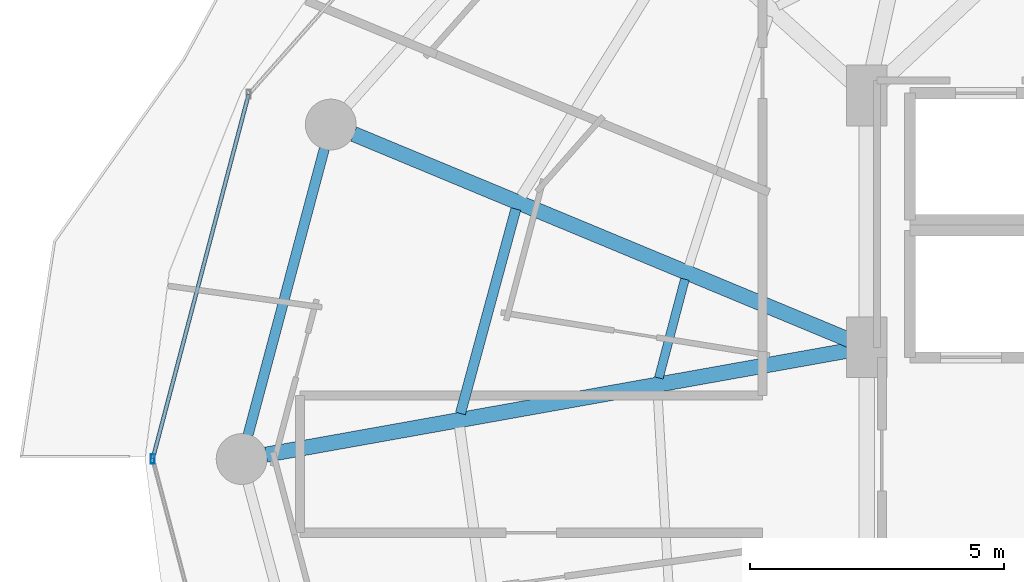
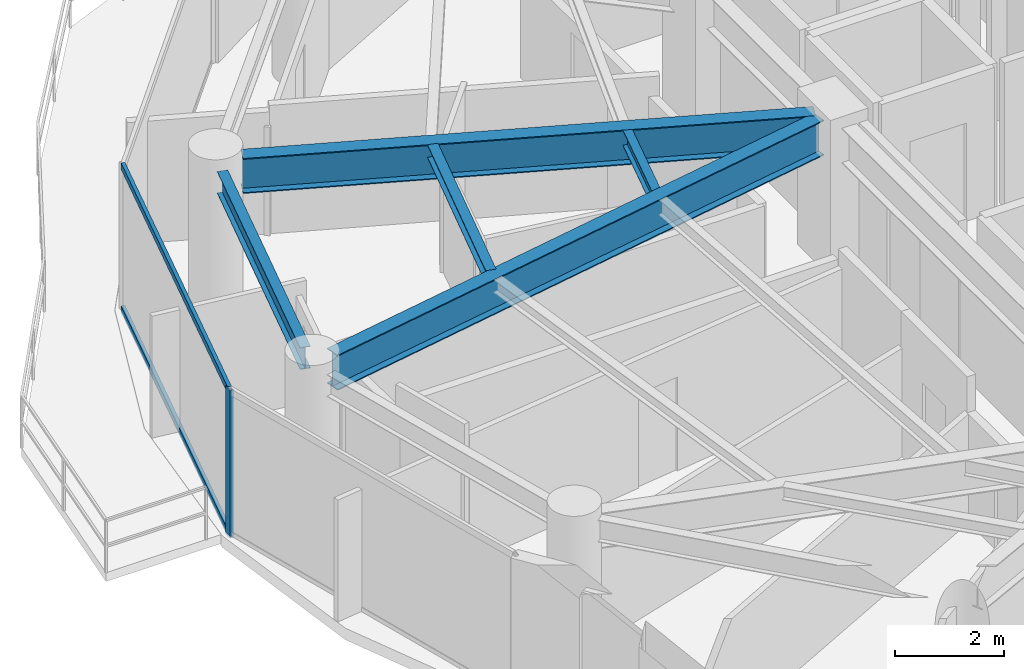
# One storey, part 8 of 29: 5 beams, 3 members, 1 element without a shape of its own.
"""IFC4 building model written with IfcOpenShell, lengths in metres."""

import ifcopenshell
import ifcopenshell.guid

model = None  # the IFC model being written
_history = None  # IfcOwnerHistory: only IFC2X3 demands one
_inside = {}  # id of a spatial element -> (the spatial element, [elements in it])
_under = {}  # id of a project, library or spatial element -> (it, [spatial elements below it])
_declared = {}  # id of a project -> (the project, [libraries it declares])
_typed = {}  # id of a type object -> (the type object, [elements of that type])
_made_of = {}  # id of a material, layer set ... -> (it, [elements and type objects made of it])


def new_model(schema):
    """Start an empty IFC model of exactly this schema.

    Asked for "IFC4X3", IfcOpenShell would pick the latest addendum, in which some entities
    have other attributes; the version numbers below select the first issue.
    IFC2X3 requires an IfcOwnerHistory on every rooted entity: one is made here for all.
    """
    global model, _history
    if schema == "IFC4X3":
        model = ifcopenshell.file(schema_version=(4, 3, 0, 0))
    else:
        model = ifcopenshell.file(schema=schema)
    _inside.clear()
    _under.clear()
    _declared.clear()
    _typed.clear()
    _made_of.clear()
    _history = None
    if model.schema == "IFC2X3":
        org = make("IfcOrganization", Name="unknown")
        user = make(
            "IfcPersonAndOrganization",
            ThePerson=make("IfcPerson", FamilyName="unknown"),
            TheOrganization=org,
        )
        app = make(
            "IfcApplication",
            ApplicationDeveloper=org,
            Version="unknown",
            ApplicationFullName="unknown",
            ApplicationIdentifier="unknown",
        )
        _history = make(
            "IfcOwnerHistory",
            OwningUser=user,
            OwningApplication=app,
            ChangeAction="ADDED",
            CreationDate=0,
        )
    return model


def make(cls, **values):
    """One entity of the class cls with the attributes given. An attribute that is None is left unset."""
    return model.create_entity(
        cls, **{name: value for name, value in values.items() if value is not None}
    )


def rooted(cls, **values):
    """An entity with a GlobalId (a new one), such as an element, a storey or a relation."""
    return make(cls, GlobalId=ifcopenshell.guid.new(), OwnerHistory=_history, **values)


def si_unit(unit_type, name, prefix=None):
    """IfcSIUnit, for example si_unit("LENGTHUNIT", "METRE", prefix="MILLI")."""
    return make("IfcSIUnit", UnitType=unit_type, Prefix=prefix, Name=name)


def assignment(units):
    """IfcUnitAssignment: the units of a project."""
    return None if units is None else make("IfcUnitAssignment", Units=units)


def point(xyz):
    """IfcCartesianPoint."""
    return None if xyz is None else make("IfcCartesianPoint", Coordinates=xyz)


def direction(xyz):
    """IfcDirection."""
    return None if xyz is None else make("IfcDirection", DirectionRatios=xyz)


def frame(location, z_axis=None, x_axis=None):
    """IfcAxis2Placement3D, a coordinate frame: its origin and axes. An axis left out is left unset."""
    return make(
        "IfcAxis2Placement3D",
        Location=point(location),
        Axis=direction(z_axis),
        RefDirection=direction(x_axis),
    )


def frame_2d(location, x_axis=None):
    """IfcAxis2Placement2D, a coordinate frame in the plane: its origin and x axis."""
    return make(
        "IfcAxis2Placement2D", Location=point(location), RefDirection=direction(x_axis)
    )


def origin():
    """The frame at (0, 0, 0) with its axes left unset."""
    return frame((0.0, 0.0, 0.0))


def origin_2d():
    """The frame at (0, 0) in the plane with its x axis left unset."""
    return frame_2d((0.0, 0.0))


def place(relative_to, where):
    """IfcLocalPlacement: puts the frame where relative to a parent placement (None: the world)."""
    return make(
        "IfcLocalPlacement", PlacementRelTo=relative_to, RelativePlacement=where
    )


def context(
    kind, dimensions, precision=None, world=None, true_north=None, identifier=None
):
    """IfcGeometricRepresentationContext, for example the 3D "Model" context."""
    return make(
        "IfcGeometricRepresentationContext",
        ContextIdentifier=identifier,
        ContextType=kind,
        CoordinateSpaceDimension=dimensions,
        Precision=precision,
        WorldCoordinateSystem=world,
        TrueNorth=true_north,
    )


def subcontext(parent, identifier, kind, view, scale=None):
    """IfcGeometricRepresentationSubContext, for example "Body" below "Model"."""
    return make(
        "IfcGeometricRepresentationSubContext",
        ContextIdentifier=identifier,
        ContextType=kind,
        ParentContext=parent,
        TargetScale=scale,
        TargetView=view,
    )


def project(units=None, contexts=None):
    """IfcProject with its units and contexts."""
    return rooted(
        "IfcProject",
        Name="project",
        RepresentationContexts=contexts,
        UnitsInContext=assignment(units),
    )


def spatial(cls, under=None, at=None, **own):
    """A site, building, storey or space (cls), placed at a placement, below another one or the project."""
    s = rooted(cls, ObjectPlacement=at, **own)
    if under is not None:
        _under.setdefault(under.id(), (under, []))[1].append(s)
    return s


def profile(cls, at=None, kind="AREA", **sizes):
    """A parametric profile (cls). Its sizes go by their IFC names, for example OverallWidth=200.0."""
    return make(cls, ProfileType=kind, Position=at, **sizes)


def hollow_rectangle(**sizes):
    """IfcRectangleHollowProfileDef."""
    return profile("IfcRectangleHollowProfileDef", **sizes)


def i_section(**sizes):
    """IfcIShapeProfileDef."""
    return profile("IfcIShapeProfileDef", **sizes)


def extrude(swept, where, along, depth):
    """IfcExtrudedAreaSolid: the profile swept, set in the frame where, extruded along a direction by depth."""
    return make(
        "IfcExtrudedAreaSolid",
        SweptArea=swept,
        Position=where,
        ExtrudedDirection=direction(along),
        Depth=depth,
    )


def shape(context_of_items, identifier, shape_type, items):
    """IfcShapeRepresentation: the items that make up one representation, for example the "Body"."""
    return make(
        "IfcShapeRepresentation",
        ContextOfItems=context_of_items,
        RepresentationIdentifier=identifier,
        RepresentationType=shape_type,
        Items=items,
    )


def material(Name=None, Category=None):
    """IfcMaterial."""
    return make("IfcMaterial", Name=Name, Category=Category)


def material_profile(
    of_material, cross_section, Name=None, Category=None, Priority=None
):
    """IfcMaterialProfile: a cross section and its material."""
    return make(
        "IfcMaterialProfile",
        Name=Name,
        Material=of_material,
        Profile=cross_section,
        Priority=Priority,
        Category=Category,
    )


def profile_set(profiles, Name=None, composite=None):
    """IfcMaterialProfileSet."""
    return make(
        "IfcMaterialProfileSet",
        Name=Name,
        MaterialProfiles=profiles,
        CompositeProfile=composite,
    )


def made_of(thing, what):
    """Note that an element or type object is made of a material, layer set ...; save() writes the relation."""
    if what is not None:
        _made_of.setdefault(what.id(), (what, []))[1].append(thing)
    return thing


def type_object(cls, material=None, **own):
    """A type object (cls), such as IfcWallType, which elements share."""
    return made_of(rooted(cls, **own), material)


def element(
    cls,
    number,
    at=None,
    inside=None,
    cuts=None,
    type_object=None,
    material=None,
    context=None,
    identifier="Body",
    shape_type=None,
    held_by="IfcProductDefinitionShape",
    body=None,
    shapes=None,
    **own,
):
    """One element of the class cls, such as IfcWall. Its Tag is "e" and its number.

    at: its placement. inside: the storey or other place that contains it. cuts: it is an
    opening in that element (IfcRelVoidsElement). A single representation is given by context,
    identifier, shape_type and body (its items); several are given by shapes. held_by: the class
    of the entity that holds the representations. save() writes the other relations.
    """
    e = rooted(cls, Tag="e%d" % number, ObjectPlacement=at, **own)
    if body is not None:
        shapes = [shape(context, identifier, shape_type, body)]
    if shapes is not None:
        e.Representation = make(held_by, Representations=shapes)
    if inside is not None:
        _inside.setdefault(inside.id(), (inside, []))[1].append(e)
    if cuts is not None:
        rooted(
            "IfcRelVoidsElement", RelatingBuildingElement=cuts, RelatedOpeningElement=e
        )
    if type_object is not None:
        _typed.setdefault(type_object.id(), (type_object, []))[1].append(e)
    return made_of(e, material)


def aggregate(whole, parts):
    """IfcRelAggregates: a whole, such as a stair, and the parts it consists of."""
    return rooted("IfcRelAggregates", RelatingObject=whole, RelatedObjects=parts)


def save(model, path):
    """Write the relations noted so far, then the file.

    IfcRelAggregates (storeys below a building ...), IfcRelContainedInSpatialStructure (elements
    in a storey), IfcRelDefinesByType, IfcRelAssociatesMaterial and IfcRelDeclares: one each for
    every whole, place, type object, material and project.
    """
    for whole, parts in _under.values():
        aggregate(whole, parts)
    for where, things in _inside.values():
        rooted(
            "IfcRelContainedInSpatialStructure",
            RelatedElements=things,
            RelatingStructure=where,
        )
    for kind, things in _typed.values():
        rooted("IfcRelDefinesByType", RelatedObjects=things, RelatingType=kind)
    for what, things in _made_of.values():
        rooted("IfcRelAssociatesMaterial", RelatedObjects=things, RelatingMaterial=what)
    for by, libraries in _declared.values():
        rooted("IfcRelDeclares", RelatingContext=by, RelatedDefinitions=libraries)
    model.write(path)


model = new_model("IFC4")

# Units and contexts
model_context = context("Model", 3, precision=1e-05, world=origin(), true_north=direction((0.0, 1.0)))
body_context = subcontext(model_context, "Body", "Model", "MODEL_VIEW")
ifc_project = project(units=[si_unit("LENGTHUNIT", "METRE"), si_unit("AREAUNIT", "SQUARE_METRE"), si_unit("VOLUMEUNIT", "CUBIC_METRE"), si_unit("PLANEANGLEUNIT", "RADIAN"), si_unit("MASSUNIT", "GRAM", prefix="KILO")], contexts=[model_context])

# Site, building, storey
site_placement = place(None, origin())
site = spatial("IfcSite", under=ifc_project, at=site_placement, CompositionType="ELEMENT")
building_placement = place(site_placement, origin())
building = spatial("IfcBuilding", under=site, at=building_placement, Name="Vorneva Point Tower", CompositionType="ELEMENT")
storey_placement = place(building_placement, frame((0.0, 0.0, 167.60009765625)))
storey = spatial("IfcBuildingStorey", under=building, at=storey_placement, Name="L45", CompositionType="ELEMENT", Elevation=167.60009765625)

# Beams
ifc_material_1 = material(Name="Steel S355", Category="steel")
ifc_material_profile_1 = material_profile(ifc_material_1, i_section(OverallWidth=0.300048828125, OverallDepth=0.7880859375, WebThickness=0.014404296875, FlangeThickness=0.02197265625, at=origin_2d()), Name="80Sh1")
ifc_profile_set_1 = profile_set([ifc_material_profile_1], Name="Steel S355")
beam_type_1 = type_object("IfcBeamType", Name="BM-GRD-80Sh1", PredefinedType="USERDEFINED", material=ifc_profile_set_1)
beam_1_placement = place(storey_placement, frame((17.1552734375, 32.39501953125, 2.845947265625), z_axis=(0.923440676596, -0.383741210723, 0.0), x_axis=(0.383741210723, 0.923440676596, 0.0)))
element("IfcBeam", 1, at=beam_1_placement, inside=storey, type_object=beam_type_1, Name="L45 Radial Primary Girder 08", ObjectType="GIRDER", PredefinedType="USERDEFINED", context=body_context, shape_type="SweptSolid", body=[
    extrude(i_section(OverallWidth=0.300048828125, OverallDepth=0.7880859375, WebThickness=0.014404296875, FlangeThickness=0.02197265625, at=origin_2d()), origin(), (0.0, 0.0, 1.0), 10.591552734375),
])
beam_2_placement = place(storey_placement, frame((15.430419921875, 26.0859375, 2.845947265625), z_axis=(0.984378132756, 0.176067293249, 0.0), x_axis=(-0.176067293249, 0.984378132756, 0.0)))
element("IfcBeam", 2, at=beam_2_placement, inside=storey, type_object=beam_type_1, Name="L45 Radial Primary Girder 09", ObjectType="GIRDER", PredefinedType="USERDEFINED", context=body_context, shape_type="SweptSolid", body=[
    extrude(i_section(OverallWidth=0.300048828125, OverallDepth=0.7880859375, WebThickness=0.014404296875, FlangeThickness=0.02197265625, at=origin_2d()), origin(), (0.0, 0.0, 1.0), 11.667236328125),
])
ifc_material_profile_2 = material_profile(ifc_material_1, i_section(OverallWidth=0.199951171875, OverallDepth=0.291015625, WebThickness=0.008056640625, FlangeThickness=0.010986328125, at=origin_2d()), Name="30Sh1")
ifc_profile_set_2 = profile_set([ifc_material_profile_2], Name="Steel S355")
beam_type_2 = type_object("IfcBeamType", Name="BM-SEC-30Sh1", PredefinedType="BEAM", material=ifc_profile_set_2)
beam_3_placement = place(storey_placement, frame((20.3466796875, 30.92041015625, 3.094482421875), z_axis=(-0.2615064173, -0.965201737312, 0.0), x_axis=(0.965201737312, -0.2615064173, 0.0)))
element("IfcBeam", 3, at=beam_3_placement, inside=storey, type_object=beam_type_2, Name="L45 Secondary Floor Beam 1.08", PredefinedType="BEAM", context=body_context, shape_type="SweptSolid", body=[
    extrude(i_section(OverallWidth=0.199951171875, OverallDepth=0.291015625, WebThickness=0.008056640625, FlangeThickness=0.010986328125, at=origin_2d()), origin(), (0.0, 0.0, 1.0), 4.16845703125),
])
ifc_material_profile_3 = material_profile(ifc_material_1, i_section(OverallWidth=0.174072265625, OverallDepth=0.345947265625, WebThickness=0.006103515625, FlangeThickness=0.009033203125, at=origin_2d()), Name="35B1")
ifc_profile_set_3 = profile_set([ifc_material_profile_3], Name="Steel S355")
beam_type_3 = type_object("IfcBeamType", Name="BM-SEC-35B1", PredefinedType="BEAM", material=ifc_profile_set_3)
beam_4_placement = place(storey_placement, frame((23.673095703125, 29.538330078125, 3.06689453125), z_axis=(-0.255181084238, -0.966893279658, 0.0), x_axis=(0.966893279658, -0.255181084238, 0.0)))
element("IfcBeam", 4, at=beam_4_placement, inside=storey, type_object=beam_type_3, Name="L45 Secondary Floor Beam 2.08", PredefinedType="BEAM", context=body_context, shape_type="SweptSolid", body=[
    extrude(i_section(OverallWidth=0.174072265625, OverallDepth=0.345947265625, WebThickness=0.006103515625, FlangeThickness=0.009033203125, at=origin_2d()), origin(), (0.0, 0.0, 1.0), 2.009033203125),
])
ifc_material_profile_4 = material_profile(ifc_material_1, i_section(OverallWidth=0.199951171875, OverallDepth=0.491943359375, WebThickness=0.0087890625, FlangeThickness=0.011962890625, at=origin_2d()), Name="50B1")
ifc_profile_set_4 = profile_set([ifc_material_profile_4], Name="Steel S355")
beam_type_4 = type_object("IfcBeamType", Name="BM-SPN-50B1", PredefinedType="SPANDREL", material=ifc_profile_set_4)
beam_5_placement = place(storey_placement, frame((16.57958984375, 32.113525390625, 2.993896484375), z_axis=(-0.257550804648, -0.966264758245, 0.0), x_axis=(0.966264758245, -0.257550804648, 0.0)))
element("IfcBeam", 5, at=beam_5_placement, inside=storey, type_object=beam_type_4, Name="L45 Perimeter Spandrel Ring Beam 08", PredefinedType="SPANDREL", context=body_context, shape_type="SweptSolid", body=[
    extrude(i_section(OverallWidth=0.199951171875, OverallDepth=0.491943359375, WebThickness=0.0087890625, FlangeThickness=0.011962890625, at=origin_2d()), origin(), (0.0, 0.0, 1.0), 5.842041015625),
])

# Curtain wall, members
ifc_material_2 = material(Name="Pale anodised aluminium", Category="aluminium")
curtain_wall_type = type_object("IfcCurtainWallType", Name="CW-RES-SYS", PredefinedType="NOTDEFINED", material=ifc_material_2)
curtain_wall_placement = place(storey_placement, origin())
curtain_wall = element("IfcCurtainWall", 6, at=curtain_wall_placement, inside=storey, type_object=curtain_wall_type, Name="L45 Unitised Curtain Wall CW-L45-R03", PredefinedType="NOTDEFINED")
ifc_material_profile_5 = material_profile(ifc_material_2, hollow_rectangle(XDim=0.074951171875, YDim=0.179931640625, WallThickness=0.00390625, at=origin_2d()), Name="AL-MUL 180x75x4")
ifc_profile_set_5 = profile_set([ifc_material_profile_5], Name="Pale anodised aluminium")
member_type_1 = type_object("IfcMemberType", Name="CW-MUL-180", PredefinedType="MULLION", material=ifc_profile_set_5)
member_1_placement = place(storey_placement, frame((13.199951171875, 26.0, -0.0400390625), z_axis=(0.0, 0.0, 1.0), x_axis=(1.0, 0.0, 0.0)))
member_1 = element("IfcMember", 7, at=member_1_placement, type_object=member_type_1, Name="CW-L45-R03 Mullion 03", PredefinedType="MULLION", context=body_context, shape_type="SweptSolid", body=[
    extrude(hollow_rectangle(XDim=0.074951171875, YDim=0.179931640625, WallThickness=0.00390625, at=origin_2d()), origin(), (0.0, 0.0, 1.0), 3.31005859375),
])
ifc_material_profile_6 = material_profile(ifc_material_2, hollow_rectangle(XDim=0.074951171875, YDim=0.14990234375, WallThickness=0.00390625, at=origin_2d()), Name="AL-TRN 150x75x4")
ifc_profile_set_6 = profile_set([ifc_material_profile_6], Name="Pale anodised aluminium")
member_type_2 = type_object("IfcMemberType", Name="CW-TRN-150", PredefinedType="USERDEFINED", material=ifc_profile_set_6)
member_2_placement = place(storey_placement, frame((15.087890625, 33.17529296875, 0.02001953125), z_axis=(-0.254456046293, -0.967084339913, 0.0), x_axis=(0.967084339913, -0.254456046293, 0.0)))
member_2 = element("IfcMember", 8, at=member_2_placement, type_object=member_type_2, Name="CW-L45-R03 Transom 02.1", ObjectType="TRANSOM", PredefinedType="USERDEFINED", context=body_context, shape_type="SweptSolid", body=[
    extrude(hollow_rectangle(XDim=0.074951171875, YDim=0.14990234375, WallThickness=0.00390625, at=origin_2d()), origin(), (0.0, 0.0, 1.0), 7.41943359375),
])
member_3_placement = place(storey_placement, frame((15.087890625, 33.17529296875, 3.219970703125), z_axis=(-0.254456046293, -0.967084339913, 0.0), x_axis=(0.967084339913, -0.254456046293, 0.0)))
member_3 = element("IfcMember", 9, at=member_3_placement, type_object=member_type_2, Name="CW-L45-R03 Transom 02.2", ObjectType="TRANSOM", PredefinedType="USERDEFINED", context=body_context, shape_type="SweptSolid", body=[
    extrude(hollow_rectangle(XDim=0.074951171875, YDim=0.14990234375, WallThickness=0.00390625, at=origin_2d()), origin(), (0.0, 0.0, 1.0), 7.41943359375),
])
aggregate(curtain_wall, [member_1, member_2, member_3])

save(model, "model.ifc")
